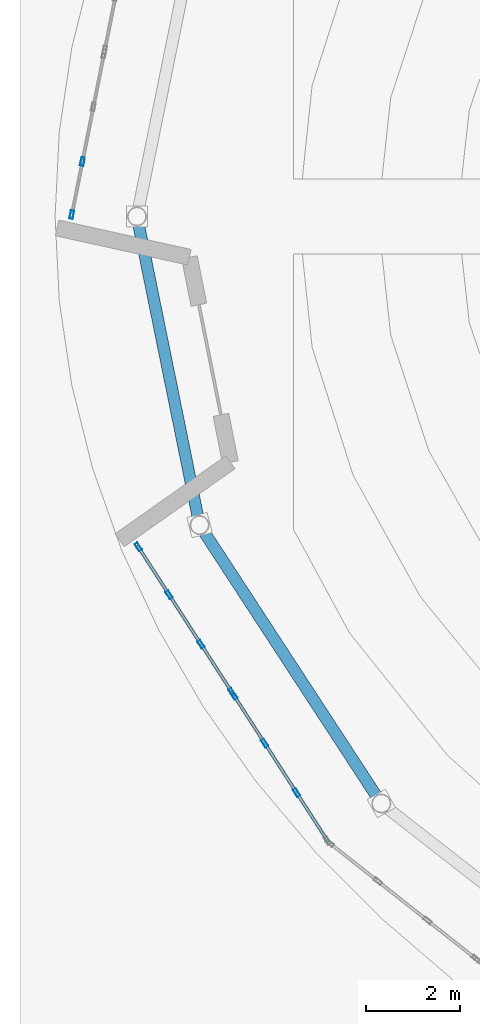
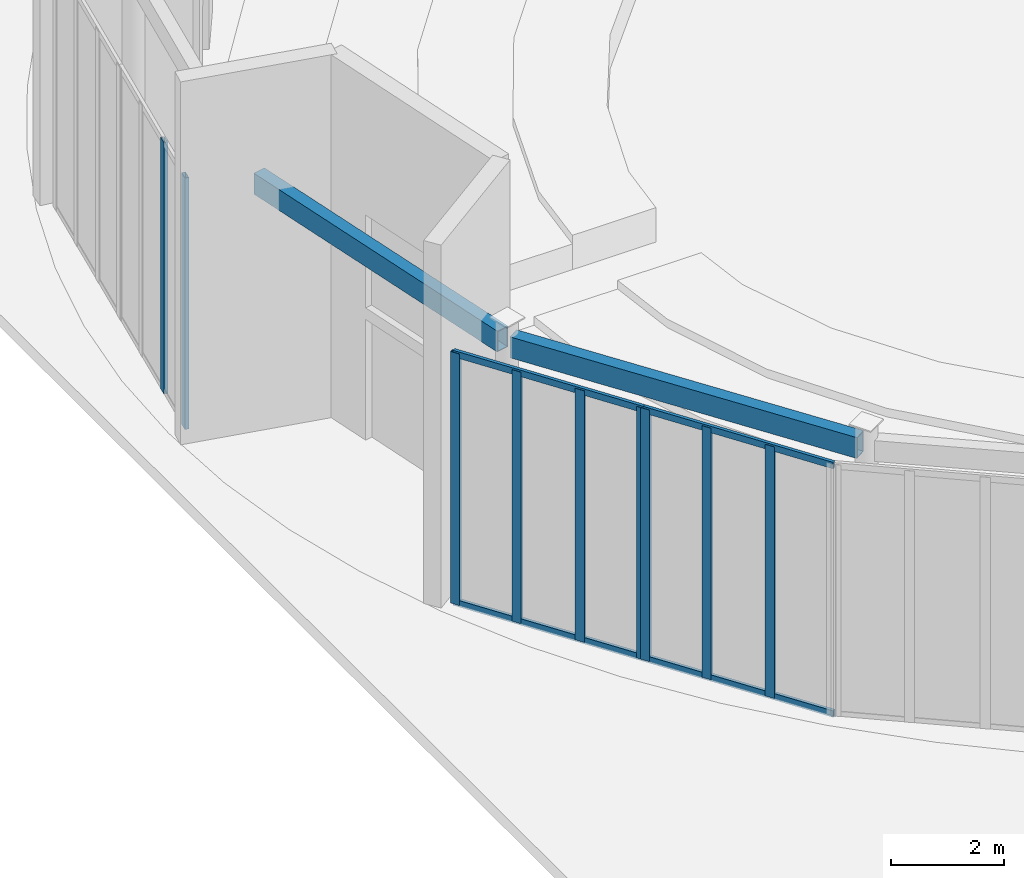
# One storey, part 35 of 94: 13 members, 2 beams, 3 elements without a shape of their own.
"""IFC4 building model written with IfcOpenShell, lengths in metres."""

from ifc_helpers import new_model, si_unit, direction, frame, origin, origin_2d, place, context, subcontext, project, spatial, hollow_rectangle, extrude, material, layer, layer_set, material_profile, profile_set, type_object, element, aggregate, save


model = new_model("IFC4")

# Units and contexts
model_context = context("Model", 3, precision=1e-05, world=origin(), true_north=direction((0.0, 1.0)))
body_context = subcontext(model_context, "Body", "Model", "MODEL_VIEW")
ifc_project = project(units=[si_unit("LENGTHUNIT", "METRE"), si_unit("AREAUNIT", "SQUARE_METRE"), si_unit("VOLUMEUNIT", "CUBIC_METRE"), si_unit("PLANEANGLEUNIT", "RADIAN"), si_unit("MASSUNIT", "GRAM", prefix="KILO")], contexts=[model_context])

# Site, building, storey
site_placement = place(None, origin())
site = spatial("IfcSite", under=ifc_project, at=site_placement, CompositionType="ELEMENT")
building_placement = place(site_placement, origin())
building = spatial("IfcBuilding", under=site, at=building_placement, Name="Sollismere Congress Hotel", CompositionType="ELEMENT")
storey_placement = place(building_placement, origin())
storey = spatial("IfcBuildingStorey", under=building, at=storey_placement, Name="L00", CompositionType="ELEMENT", Elevation=0.0)

# Beams
ifc_material_1 = material(Name="Steel ASTM A500 Grade C", Category="steel")
ifc_material_profile_1 = material_profile(ifc_material_1, hollow_rectangle(XDim=0.25, YDim=0.449951171875, WallThickness=0.01611328125, at=origin_2d()), Name="HSS450X250X16")
ifc_profile_set_1 = profile_set([ifc_material_profile_1], Name="Steel ASTM A500 Grade C")
beam_type = type_object("IfcBeamType", Name="BM-BX450", PredefinedType="HOLLOWCORE", material=ifc_profile_set_1)
beam_1_placement = place(storey_placement, frame((1.673828125, 90.282470703125, 4.889892578125), z_axis=(0.198827417532, -0.980034518799, 0.0), x_axis=(0.980034518799, 0.198827417532, 0.0)))
element("IfcBeam", 1, at=beam_1_placement, inside=storey, type_object=beam_type, Name="Beam BM-L00-4176", PredefinedType="HOLLOWCORE", context=body_context, shape_type="SweptSolid", body=[
    extrude(hollow_rectangle(XDim=0.25, YDim=0.449951171875, WallThickness=0.01611328125, at=origin_2d()), origin(), (0.0, 0.0, 1.0), 6.491943359375),
])
beam_2_placement = place(storey_placement, frame((3.05419921875, 83.701904296875, 4.889892578125), z_axis=(0.546609343854, -0.837387738871, 0.0), x_axis=(0.837387738871, 0.546609343854, 0.0)))
element("IfcBeam", 2, at=beam_2_placement, inside=storey, type_object=beam_type, Name="Beam BM-L00-4177", PredefinedType="HOLLOWCORE", context=body_context, shape_type="SweptSolid", body=[
    extrude(hollow_rectangle(XDim=0.25, YDim=0.449951171875, WallThickness=0.01611328125, at=origin_2d()), origin(), (0.0, 0.0, 1.0), 6.8671875),
])

# Curtain wall, members
ifc_material_2 = material(Name="Anodized Bronze Curtain Wall & Low-E Triple Glazing", Category="glass")
ifc_layer = layer(ifc_material_2, 0.199951171875, Name="Anodized Bronze Curtain Wall & Low-E Triple Glazing")
ifc_layer_set = layer_set([ifc_layer], Name="Anodized Bronze Curtain Wall & Low-E Triple Glazing")
curtain_wall_type = type_object("IfcCurtainWallType", Name="CW-GLZ36", PredefinedType="USERDEFINED", material=ifc_layer_set)
curtain_wall_1_placement = place(storey_placement, origin())
curtain_wall_1 = element("IfcCurtainWall", 3, at=curtain_wall_1_placement, inside=storey, type_object=curtain_wall_type, Name="Unitised curtain wall CW-L00-038", ObjectType="UNITISED CURTAIN WALL", PredefinedType="USERDEFINED")
ifc_material_3 = material(Name="Anodized Aluminum 6063-T6", Category="aluminium")
ifc_material_profile_2 = material_profile(ifc_material_3, hollow_rectangle(XDim=0.074951171875, YDim=0.179931640625, WallThickness=0.0048828125, at=origin_2d()), Name="ALU180X75X5")
ifc_profile_set_2 = profile_set([ifc_material_profile_2], Name="Anodized Aluminum 6063-T6")
member_type_1 = type_object("IfcMemberType", Name="ML-CW180", PredefinedType="MULLION", material=ifc_profile_set_2)
member_1_placement = place(storey_placement, frame((0.484619140625, 91.57177734375, 0.0), z_axis=(0.0, 0.0, 1.0), x_axis=(0.98055305186, -0.196254203749, 0.0)))
member_1 = element("IfcMember", 4, at=member_1_placement, type_object=member_type_1, Name="CWL-CW-L00-038-ML03", PredefinedType="MULLION", context=body_context, shape_type="SweptSolid", body=[
    extrude(hollow_rectangle(XDim=0.074951171875, YDim=0.179931640625, WallThickness=0.0048828125, at=origin_2d()), origin(), (0.0, 0.0, 1.0), 5.419921875),
])
member_2_placement = place(storey_placement, frame((0.257568359375, 90.437255859375, 0.0), z_axis=(0.0, 0.0, 1.0), x_axis=(0.98055305186, -0.196254203749, 0.0)))
member_2 = element("IfcMember", 5, at=member_2_placement, type_object=member_type_1, Name="CWL-CW-L00-038-ML04", PredefinedType="MULLION", context=body_context, shape_type="SweptSolid", body=[
    extrude(hollow_rectangle(XDim=0.074951171875, YDim=0.179931640625, WallThickness=0.0048828125, at=origin_2d()), origin(), (0.0, 0.0, 1.0), 5.419921875),
])
aggregate(curtain_wall_1, [member_1, member_2])

curtain_wall_2_placement = place(storey_placement, origin())
curtain_wall_2 = element("IfcCurtainWall", 6, at=curtain_wall_2_placement, inside=storey, type_object=curtain_wall_type, Name="Unitised curtain wall CW-L00-047", ObjectType="UNITISED CURTAIN WALL", PredefinedType="USERDEFINED")
member_3_placement = place(storey_placement, frame((1.677734375, 83.337890625, 0.0), z_axis=(0.0, 0.0, 1.0), x_axis=(0.840774542547, 0.541385415951, 0.0)))
member_3 = element("IfcMember", 7, at=member_3_placement, type_object=member_type_1, Name="CWL-CW-L00-047-ML01", PredefinedType="MULLION", context=body_context, shape_type="SweptSolid", body=[
    extrude(hollow_rectangle(XDim=0.074951171875, YDim=0.179931640625, WallThickness=0.0048828125, at=origin_2d()), origin(), (0.0, 0.0, 1.0), 5.419921875),
])
member_4_placement = place(storey_placement, frame((2.337646484375, 82.31298828125, 0.0), z_axis=(0.0, 0.0, 1.0), x_axis=(0.840774542547, 0.541385415951, 0.0)))
member_4 = element("IfcMember", 8, at=member_4_placement, type_object=member_type_1, Name="CWL-CW-L00-047-ML02", PredefinedType="MULLION", context=body_context, shape_type="SweptSolid", body=[
    extrude(hollow_rectangle(XDim=0.074951171875, YDim=0.179931640625, WallThickness=0.0048828125, at=origin_2d()), origin(), (0.0, 0.0, 1.0), 5.419921875),
])
member_5_placement = place(storey_placement, frame((3.018310546875, 81.255859375, 0.0), z_axis=(0.0, 0.0, 1.0), x_axis=(0.840774542547, 0.541385415951, 0.0)))
member_5 = element("IfcMember", 9, at=member_5_placement, type_object=member_type_1, Name="CWL-CW-L00-047-ML03", PredefinedType="MULLION", context=body_context, shape_type="SweptSolid", body=[
    extrude(hollow_rectangle(XDim=0.074951171875, YDim=0.179931640625, WallThickness=0.0048828125, at=origin_2d()), origin(), (0.0, 0.0, 1.0), 5.419921875),
])
member_6_placement = place(storey_placement, frame((3.678466796875, 80.230712890625, 0.0), z_axis=(0.0, 0.0, 1.0), x_axis=(0.840774542547, 0.541385415951, 0.0)))
member_6 = element("IfcMember", 10, at=member_6_placement, type_object=member_type_1, Name="CWL-CW-L00-047-ML04", PredefinedType="MULLION", context=body_context, shape_type="SweptSolid", body=[
    extrude(hollow_rectangle(XDim=0.074951171875, YDim=0.179931640625, WallThickness=0.0048828125, at=origin_2d()), origin(), (0.0, 0.0, 1.0), 5.419921875),
])

curtain_wall_3_placement = place(storey_placement, origin())
curtain_wall_3 = element("IfcCurtainWall", 11, at=curtain_wall_3_placement, inside=storey, type_object=curtain_wall_type, Name="Unitised curtain wall CW-L00-048", ObjectType="UNITISED CURTAIN WALL", PredefinedType="USERDEFINED")
member_7_placement = place(storey_placement, frame((3.719482421875, 80.1669921875, 0.0), z_axis=(0.0, 0.0, 1.0), x_axis=(0.840774542547, 0.541385415951, 0.0)))
member_7 = element("IfcMember", 12, at=member_7_placement, type_object=member_type_1, Name="CWL-CW-L00-048-ML01", PredefinedType="MULLION", context=body_context, shape_type="SweptSolid", body=[
    extrude(hollow_rectangle(XDim=0.074951171875, YDim=0.179931640625, WallThickness=0.0048828125, at=origin_2d()), origin(), (0.0, 0.0, 1.0), 5.419921875),
])
member_8_placement = place(storey_placement, frame((4.379638671875, 79.141845703125, 0.0), z_axis=(0.0, 0.0, 1.0), x_axis=(0.840774542547, 0.541385415951, 0.0)))
member_8 = element("IfcMember", 13, at=member_8_placement, type_object=member_type_1, Name="CWL-CW-L00-048-ML02", PredefinedType="MULLION", context=body_context, shape_type="SweptSolid", body=[
    extrude(hollow_rectangle(XDim=0.074951171875, YDim=0.179931640625, WallThickness=0.0048828125, at=origin_2d()), origin(), (0.0, 0.0, 1.0), 5.419921875),
])
member_9_placement = place(storey_placement, frame((5.060302734375, 78.0849609375, 0.0), z_axis=(0.0, 0.0, 1.0), x_axis=(0.840774542547, 0.541385415951, 0.0)))
member_9 = element("IfcMember", 14, at=member_9_placement, type_object=member_type_1, Name="CWL-CW-L00-048-ML03", PredefinedType="MULLION", context=body_context, shape_type="SweptSolid", body=[
    extrude(hollow_rectangle(XDim=0.074951171875, YDim=0.179931640625, WallThickness=0.0048828125, at=origin_2d()), origin(), (0.0, 0.0, 1.0), 5.419921875),
])

# Member
ifc_material_profile_3 = material_profile(ifc_material_3, hollow_rectangle(XDim=0.06494140625, YDim=0.139892578125, WallThickness=0.00390625, at=origin_2d()), Name="ALU140X65X4")
ifc_profile_set_3 = profile_set([ifc_material_profile_3], Name="Anodized Aluminum 6063-T6")
member_type_2 = type_object("IfcMemberType", Name="TR-CW150", PredefinedType="MEMBER", material=ifc_profile_set_3)
member_10_placement = place(storey_placement, frame((1.656982421875, 83.369873046875, 0.032470703125), z_axis=(0.541424846284, -0.840749151547, 0.0), x_axis=(0.840749151547, 0.541424846284, 0.0)))
member_10 = element("IfcMember", 15, at=member_10_placement, type_object=member_type_2, Name="CWL-CW-L00-047-TR1", PredefinedType="MEMBER", context=body_context, shape_type="SweptSolid", body=[
    extrude(hollow_rectangle(XDim=0.06494140625, YDim=0.139892578125, WallThickness=0.00390625, at=origin_2d()), origin(), (0.0, 0.0, 1.0), 3.771484375),
])

member_11_placement = place(storey_placement, frame((1.656982421875, 83.369873046875, 5.387451171875), z_axis=(0.541424846284, -0.840749151547, 0.0), x_axis=(0.840749151547, 0.541424846284, 0.0)))
member_11 = element("IfcMember", 16, at=member_11_placement, type_object=member_type_2, Name="CWL-CW-L00-047-TR2", PredefinedType="MEMBER", context=body_context, shape_type="SweptSolid", body=[
    extrude(hollow_rectangle(XDim=0.06494140625, YDim=0.139892578125, WallThickness=0.00390625, at=origin_2d()), origin(), (0.0, 0.0, 1.0), 3.771484375),
])

aggregate(curtain_wall_2, [member_3, member_4, member_5, member_6, member_10, member_11])

member_12_placement = place(storey_placement, frame((3.698974609375, 80.198974609375, 0.032470703125), z_axis=(0.541349622113, -0.840797589577, 0.0), x_axis=(0.840797589577, 0.541349622113, 0.0)))
member_12 = element("IfcMember", 17, at=member_12_placement, type_object=member_type_2, Name="CWL-CW-L00-048-TR1", PredefinedType="MEMBER", context=body_context, shape_type="SweptSolid", body=[
    extrude(hollow_rectangle(XDim=0.06494140625, YDim=0.139892578125, WallThickness=0.00390625, at=origin_2d()), origin(), (0.0, 0.0, 1.0), 3.771484375),
])

member_13_placement = place(storey_placement, frame((3.698974609375, 80.198974609375, 5.387451171875), z_axis=(0.541349622113, -0.840797589577, 0.0), x_axis=(0.840797589577, 0.541349622113, 0.0)))
member_13 = element("IfcMember", 18, at=member_13_placement, type_object=member_type_2, Name="CWL-CW-L00-048-TR2", PredefinedType="MEMBER", context=body_context, shape_type="SweptSolid", body=[
    extrude(hollow_rectangle(XDim=0.06494140625, YDim=0.139892578125, WallThickness=0.00390625, at=origin_2d()), origin(), (0.0, 0.0, 1.0), 3.771484375),
])

aggregate(curtain_wall_3, [member_7, member_8, member_9, member_12, member_13])

save(model, "model.ifc")
